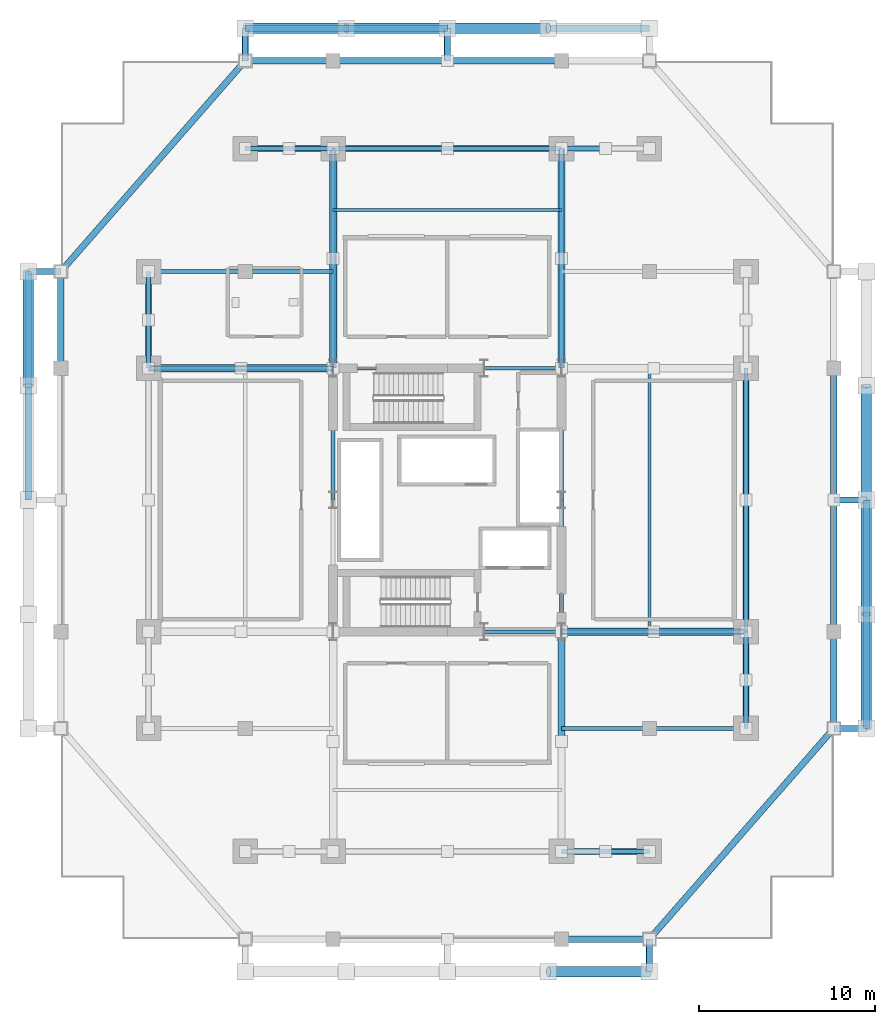
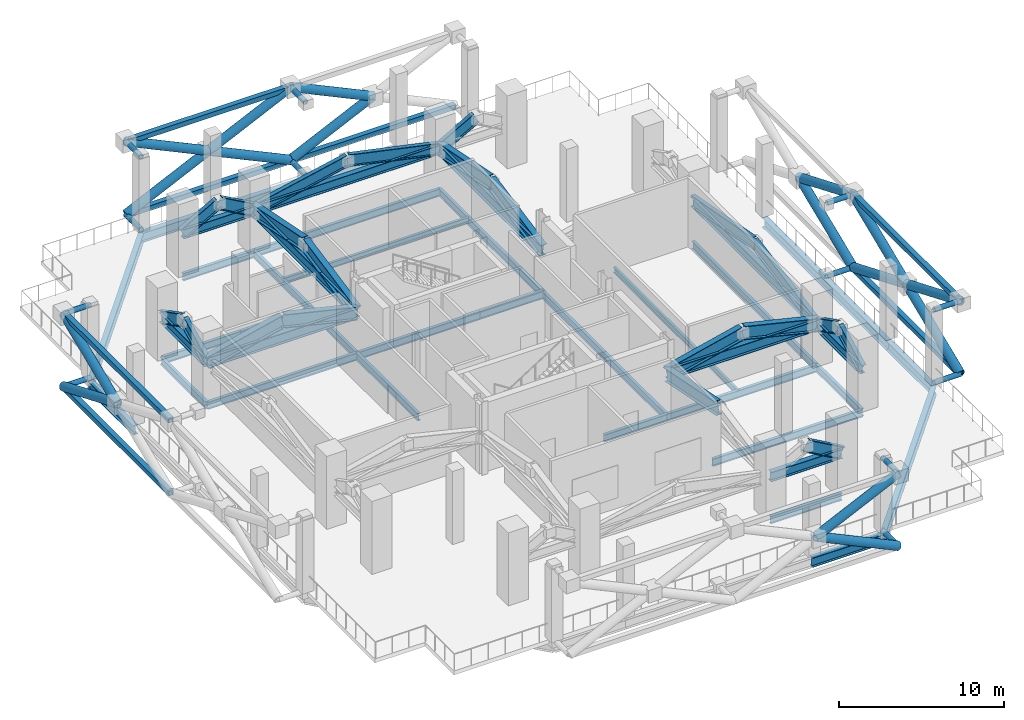
# One storey, part 2 of 9: 66 members, 30 beams.
"""IFC4 building model written with IfcOpenShell, lengths in metres."""

from ifc_helpers import new_model, si_unit, direction, frame, origin, origin_2d, place, context, subcontext, project, spatial, hollow_rectangle, hollow_circle, i_section, extrude, material, material_profile, profile_set, type_object, element, save


model = new_model("IFC4")

# Units and contexts
model_context = context("Model", 3, precision=1e-05, world=origin(), true_north=direction((0.0, 1.0)))
body_context = subcontext(model_context, "Body", "Model", "MODEL_VIEW")
ifc_project = project(units=[si_unit("LENGTHUNIT", "METRE"), si_unit("AREAUNIT", "SQUARE_METRE"), si_unit("VOLUMEUNIT", "CUBIC_METRE"), si_unit("PLANEANGLEUNIT", "RADIAN"), si_unit("MASSUNIT", "GRAM", prefix="KILO")], contexts=[model_context])

# Site, building, storey
site_placement = place(None, origin())
site = spatial("IfcSite", under=ifc_project, at=site_placement, CompositionType="ELEMENT")
building_placement = place(site_placement, origin())
building = spatial("IfcBuilding", under=site, at=building_placement, Name="Barlavira Tower and Art Museum", CompositionType="ELEMENT")
storey_placement = place(building_placement, frame((0.0, 0.0, 93.60009765625)))
storey = spatial("IfcBuildingStorey", under=building, at=storey_placement, Name="L23", CompositionType="ELEMENT", Elevation=93.60009765625)

# Members
ifc_material = material(Name="Steel S355", Category="steel")
ifc_material_profile_1 = material_profile(ifc_material, i_section(OverallWidth=0.35595703125, OverallDepth=0.695068359375, WebThickness=0.014892578125, FlangeThickness=0.023681640625, at=origin_2d()), Name="W690x192.0")
ifc_profile_set_1 = profile_set([ifc_material_profile_1], Name="Steel S355")
member_type_1 = type_object("IfcMemberType", Name="Belt Truss Chord Member W690x192 Steel S355", PredefinedType="CHORD", material=ifc_profile_set_1)
for number, where, z_axis, x_axis, name in (
    (1, (6.5, -20.0, 2.64990234375), (1.0, 0.0, 0.0), (0.0, 1.0, 0.0), "L23 Belt Truss Bottom Chord BS3"),
    (2, (-11.5, 20.0, 2.64990234375), (1.0, 0.0, 0.0), (0.0, 1.0, 0.0), "L23 Belt Truss Bottom Chord BN1"),
):
    element("IfcMember", number, at=place(storey_placement, frame(where, z_axis=z_axis, x_axis=x_axis)), inside=storey, type_object=member_type_1, Name=name, PredefinedType="CHORD", context=body_context, shape_type="SweptSolid", body=[
        extrude(i_section(OverallWidth=0.35595703125, OverallDepth=0.695068359375, WebThickness=0.014892578125, FlangeThickness=0.023681640625, at=origin_2d()), origin(), (0.0, 0.0, 1.0), 5.0),
    ])
member_1_placement = place(storey_placement, frame((-6.5, 20.0, 2.64990234375), z_axis=(1.0, 0.0, 0.0), x_axis=(0.0, 1.0, 0.0)))
element("IfcMember", 3, at=member_1_placement, inside=storey, type_object=member_type_1, Name="L23 Belt Truss Bottom Chord BN2", PredefinedType="CHORD", context=body_context, shape_type="SweptSolid", body=[
    extrude(i_section(OverallWidth=0.35595703125, OverallDepth=0.695068359375, WebThickness=0.014892578125, FlangeThickness=0.023681640625, at=origin_2d()), origin(), (0.0, 0.0, 1.0), 13.0),
])
for number, where, z_axis, x_axis, name in (
    (4, (-17.0, 7.5, 2.64990234375), (0.0, 1.0, 0.0), (-1.0, 0.0, 0.0), "L23 Belt Truss Bottom Chord BW3"),
    (5, (17.0, -13.0, 2.64990234375), (0.0, 1.0, 0.0), (-1.0, 0.0, 0.0), "L23 Belt Truss Bottom Chord BE1"),
):
    element("IfcMember", number, at=place(storey_placement, frame(where, z_axis=z_axis, x_axis=x_axis)), inside=storey, type_object=member_type_1, Name=name, PredefinedType="CHORD", context=body_context, shape_type="SweptSolid", body=[
        extrude(i_section(OverallWidth=0.35595703125, OverallDepth=0.695068359375, WebThickness=0.014892578125, FlangeThickness=0.023681640625, at=origin_2d()), origin(), (0.0, 0.0, 1.0), 5.5),
    ])
member_2_placement = place(storey_placement, frame((17.0, -7.5, 2.64990234375), z_axis=(0.0, 1.0, 0.0), x_axis=(-1.0, 0.0, 0.0)))
element("IfcMember", 6, at=member_2_placement, inside=storey, type_object=member_type_1, Name="L23 Belt Truss Bottom Chord BE2", PredefinedType="CHORD", context=body_context, shape_type="SweptSolid", body=[
    extrude(i_section(OverallWidth=0.35595703125, OverallDepth=0.695068359375, WebThickness=0.014892578125, FlangeThickness=0.023681640625, at=origin_2d()), origin(), (0.0, 0.0, 1.0), 15.0),
])
ifc_material_profile_2 = material_profile(ifc_material, i_section(OverallWidth=0.2939453125, OverallDepth=0.85107421875, WebThickness=0.017333984375, FlangeThickness=0.0283203125, at=origin_2d()), Name="W840x251.0")
ifc_profile_set_2 = profile_set([ifc_material_profile_2], Name="Steel S355")
member_type_2 = type_object("IfcMemberType", Name="Belt Truss Diagonal Brace W840x251 Steel S355", PredefinedType="BRACE", material=ifc_profile_set_2)
for number, where, z_axis, x_axis, name in (
    (7, (9.0, -20.0, 4.0498046875), (0.872520545396, 0.0, -0.488577422588), (0.0, 1.0, 0.0), "L23 Belt Truss Diagonal BS3-2"),
    (8, (-11.5, 20.0, 2.64990234375), (0.872520545396, 0.0, 0.488577422588), (0.0, 1.0, 0.0), "L23 Belt Truss Diagonal BN1-1"),
    (9, (-9.0, 20.0, 4.0498046875), (0.872520545396, 0.0, -0.488577422588), (0.0, 1.0, 0.0), "L23 Belt Truss Diagonal BN1-2"),
):
    element("IfcMember", number, at=place(storey_placement, frame(where, z_axis=z_axis, x_axis=x_axis)), inside=storey, type_object=member_type_2, Name=name, PredefinedType="BRACE", context=body_context, shape_type="SweptSolid", body=[
        extrude(i_section(OverallWidth=0.2939453125, OverallDepth=0.85107421875, WebThickness=0.017333984375, FlangeThickness=0.0283203125, at=origin_2d()), origin(), (0.0, 0.0, 1.0), 2.865234375),
    ])
for number, where, z_axis, x_axis, name in (
    (10, (-6.5, 20.0, 2.64990234375), (0.977584804239, 0.0, 0.210542039795), (0.0, 1.0, 0.0), "L23 Belt Truss Diagonal BN2-1"),
    (11, (0.0, 20.0, 4.0498046875), (0.977584804239, 0.0, -0.210542039795), (0.0, 1.0, 0.0), "L23 Belt Truss Diagonal BN2-2"),
):
    element("IfcMember", number, at=place(storey_placement, frame(where, z_axis=z_axis, x_axis=x_axis)), inside=storey, type_object=member_type_2, Name=name, PredefinedType="BRACE", context=body_context, shape_type="SweptSolid", body=[
        extrude(i_section(OverallWidth=0.2939453125, OverallDepth=0.85107421875, WebThickness=0.017333984375, FlangeThickness=0.0283203125, at=origin_2d()), origin(), (0.0, 0.0, 1.0), 6.64892578125),
    ])
member_3_placement = place(storey_placement, frame((6.5, 20.0, 2.64990234375), z_axis=(0.872520545396, 0.0, 0.488577422588), x_axis=(0.0, 1.0, 0.0)))
element("IfcMember", 12, at=member_3_placement, inside=storey, type_object=member_type_2, Name="L23 Belt Truss Diagonal BN3-1", PredefinedType="BRACE", context=body_context, shape_type="SweptSolid", body=[
    extrude(i_section(OverallWidth=0.2939453125, OverallDepth=0.85107421875, WebThickness=0.017333984375, FlangeThickness=0.0283203125, at=origin_2d()), origin(), (0.0, 0.0, 1.0), 2.865234375),
])
for number, where, z_axis, x_axis, name in (
    (13, (-17.0, 7.5, 2.64990234375), (0.0, 0.891175910254, 0.453657907439), (-1.0, 0.0, 0.0), "L23 Belt Truss Diagonal BW3-1"),
    (14, (-17.0, 10.25, 4.0498046875), (0.0, 0.891175910254, -0.453657907439), (-1.0, 0.0, 0.0), "L23 Belt Truss Diagonal BW3-2"),
    (15, (17.0, -13.0, 2.64990234375), (0.0, 0.891175910254, 0.453657907439), (-1.0, 0.0, 0.0), "L23 Belt Truss Diagonal BE1-1"),
    (16, (17.0, -10.25, 4.0498046875), (0.0, 0.891175910254, -0.453657907439), (-1.0, 0.0, 0.0), "L23 Belt Truss Diagonal BE1-2"),
):
    element("IfcMember", number, at=place(storey_placement, frame(where, z_axis=z_axis, x_axis=x_axis)), inside=storey, type_object=member_type_2, Name=name, PredefinedType="BRACE", context=body_context, shape_type="SweptSolid", body=[
        extrude(i_section(OverallWidth=0.2939453125, OverallDepth=0.85107421875, WebThickness=0.017333984375, FlangeThickness=0.0283203125, at=origin_2d()), origin(), (0.0, 0.0, 1.0), 3.085693359375),
    ])
for number, where, z_axis, x_axis, name in (
    (17, (17.0, -7.5, 2.64990234375), (0.0, 0.983022557528, 0.183484744299), (-1.0, 0.0, 0.0), "L23 Belt Truss Diagonal BE2-1"),
    (18, (17.0, 0.0, 4.0498046875), (0.0, 0.983022557528, -0.183484744299), (-1.0, 0.0, 0.0), "L23 Belt Truss Diagonal BE2-2"),
):
    element("IfcMember", number, at=place(storey_placement, frame(where, z_axis=z_axis, x_axis=x_axis)), inside=storey, type_object=member_type_2, Name=name, PredefinedType="BRACE", context=body_context, shape_type="SweptSolid", body=[
        extrude(i_section(OverallWidth=0.2939453125, OverallDepth=0.85107421875, WebThickness=0.017333984375, FlangeThickness=0.0283203125, at=origin_2d()), origin(), (0.0, 0.0, 1.0), 7.629638671875),
    ])
ifc_material_profile_3 = material_profile(ifc_material, i_section(OverallWidth=0.382080078125, OverallDepth=0.785888671875, WebThickness=0.02001953125, FlangeThickness=0.032958984375, at=origin_2d()), Name="W760x314.0")
ifc_profile_set_3 = profile_set([ifc_material_profile_3], Name="Steel S355")
member_type_3 = type_object("IfcMemberType", Name="Outrigger Truss Chord Member W760x314 Steel S355", PredefinedType="CHORD", material=ifc_profile_set_3)
for number, where, z_axis, x_axis, name in (
    (19, (-6.5, 7.5, 2.64990234375), (-1.0, 0.0, 0.0), (0.0, -1.0, 0.0), "L23 Outrigger Bottom Chord WN"),
    (20, (6.5, -7.5, 2.64990234375), (1.0, 0.0, 0.0), (0.0, 1.0, 0.0), "L23 Outrigger Bottom Chord ES"),
):
    element("IfcMember", number, at=place(storey_placement, frame(where, z_axis=z_axis, x_axis=x_axis)), inside=storey, type_object=member_type_3, Name=name, PredefinedType="CHORD", context=body_context, shape_type="SweptSolid", body=[
        extrude(i_section(OverallWidth=0.382080078125, OverallDepth=0.785888671875, WebThickness=0.02001953125, FlangeThickness=0.032958984375, at=origin_2d()), origin(), (0.0, 0.0, 1.0), 10.5),
    ])
for number, where, z_axis, x_axis, name in (
    (21, (-6.5, 7.5, 2.64990234375), (0.0, 1.0, 0.0), (-1.0, 0.0, 0.0), "L23 Outrigger Bottom Chord NW"),
    (22, (6.5, 7.5, 2.64990234375), (0.0, 1.0, 0.0), (-1.0, 0.0, 0.0), "L23 Outrigger Bottom Chord NE"),
):
    element("IfcMember", number, at=place(storey_placement, frame(where, z_axis=z_axis, x_axis=x_axis)), inside=storey, type_object=member_type_3, Name=name, PredefinedType="CHORD", context=body_context, shape_type="SweptSolid", body=[
        extrude(i_section(OverallWidth=0.382080078125, OverallDepth=0.785888671875, WebThickness=0.02001953125, FlangeThickness=0.032958984375, at=origin_2d()), origin(), (0.0, 0.0, 1.0), 12.5),
    ])
ifc_material_profile_4 = material_profile(ifc_material, i_section(OverallWidth=0.419921875, OverallDepth=0.9599609375, WebThickness=0.02197265625, FlangeThickness=0.033935546875, at=origin_2d()), Name="W920x387.0")
ifc_profile_set_4 = profile_set([ifc_material_profile_4], Name="Steel S355")
member_type_4 = type_object("IfcMemberType", Name="Outrigger Truss Diagonal Brace W920x387 Steel S355", PredefinedType="BRACE", material=ifc_profile_set_4)
for number, where, z_axis, x_axis, name in (
    (23, (-6.5, 7.5, 2.64990234375), (-0.972806214685, 0.0, 0.231620527306), (0.0, -1.0, 0.0), "L23 Outrigger Diagonal Brace WN-1"),
    (24, (-11.75, 7.5, 3.89990234375), (-0.972806214685, 0.0, -0.231620527306), (0.0, -1.0, 0.0), "L23 Outrigger Diagonal Brace WN-2"),
    (25, (6.5, -7.5, 2.64990234375), (0.972806214685, 0.0, 0.231620527306), (0.0, 1.0, 0.0), "L23 Outrigger Diagonal Brace ES-1"),
    (26, (11.75, -7.5, 3.89990234375), (0.972806214685, 0.0, -0.231620527306), (0.0, 1.0, 0.0), "L23 Outrigger Diagonal Brace ES-2"),
):
    element("IfcMember", number, at=place(storey_placement, frame(where, z_axis=z_axis, x_axis=x_axis)), inside=storey, type_object=member_type_4, Name=name, PredefinedType="BRACE", context=body_context, shape_type="SweptSolid", body=[
        extrude(i_section(OverallWidth=0.419921875, OverallDepth=0.9599609375, WebThickness=0.02197265625, FlangeThickness=0.033935546875, at=origin_2d()), origin(), (0.0, 0.0, 1.0), 5.396728515625),
    ])
for number, where, z_axis, x_axis, name in (
    (27, (6.5, -7.5, 2.64990234375), (0.0, -0.980580675691, 0.196116135138), (1.0, 0.0, 0.0), "L23 Outrigger Diagonal Brace SE-1"),
    (28, (-6.5, 7.5, 2.64990234375), (0.0, 0.980580675691, 0.196116135138), (-1.0, 0.0, 0.0), "L23 Outrigger Diagonal Brace NW-1"),
    (29, (-6.5, 13.75, 3.89990234375), (0.0, 0.980580675691, -0.196116135138), (-1.0, 0.0, 0.0), "L23 Outrigger Diagonal Brace NW-2"),
    (30, (6.5, 7.5, 2.64990234375), (0.0, 0.980580675691, 0.196116135138), (-1.0, 0.0, 0.0), "L23 Outrigger Diagonal Brace NE-1"),
    (31, (6.5, 13.75, 3.89990234375), (0.0, 0.980580675691, -0.196116135138), (-1.0, 0.0, 0.0), "L23 Outrigger Diagonal Brace NE-2"),
):
    element("IfcMember", number, at=place(storey_placement, frame(where, z_axis=z_axis, x_axis=x_axis)), inside=storey, type_object=member_type_4, Name=name, PredefinedType="BRACE", context=body_context, shape_type="SweptSolid", body=[
        extrude(i_section(OverallWidth=0.419921875, OverallDepth=0.9599609375, WebThickness=0.02197265625, FlangeThickness=0.033935546875, at=origin_2d()), origin(), (0.0, 0.0, 1.0), 6.373779296875),
    ])
ifc_material_profile_5 = material_profile(ifc_material, hollow_circle(Radius=0.304931640625, WallThickness=0.028076171875, at=origin_2d()), Name="CHS 610.0x28.0")
ifc_profile_set_5 = profile_set([ifc_material_profile_5], Name="Steel S355")
member_type_5 = type_object("IfcMemberType", Name="Pale-Metal Exoskeleton Diagrid Tube CHS 610x28 Steel S355", PredefinedType="BRACE", material=ifc_profile_set_5)
for number, where, z_axis, x_axis, name in (
    (32, (11.5, -26.85009765625, -0.1201171875), (-0.905178105095, 0.0, 0.425032467062), (0.0, -1.0, 0.0), "L23 Exoskeleton Diagrid Tube S"),
    (33, (5.75, -26.85009765625, 2.579833984375), (0.905178105095, 0.0, 0.425032467062), (0.0, 1.0, 0.0), "L23 Exoskeleton Diagrid Tube S"),
    (34, (-11.5, 26.85009765625, -0.1201171875), (0.905178105095, 0.0, 0.425032467062), (0.0, 1.0, 0.0), "L23 Exoskeleton Diagrid Tube N"),
    (35, (0.0, 26.85009765625, -0.1201171875), (-0.905178105095, 0.0, 0.425032467062), (0.0, -1.0, 0.0), "L23 Exoskeleton Diagrid Tube N"),
    (36, (-5.75, 26.85009765625, 2.579833984375), (-0.905178105095, 0.0, 0.425032467062), (0.0, -1.0, 0.0), "L23 Exoskeleton Diagrid Tube N"),
    (37, (-5.75, 26.85009765625, 2.579833984375), (0.905178105095, 0.0, 0.425032467062), (0.0, 1.0, 0.0), "L23 Exoskeleton Diagrid Tube N"),
    (38, (0.0, 26.85009765625, -0.1201171875), (0.905178105095, 0.0, 0.425032467062), (0.0, 1.0, 0.0), "L23 Exoskeleton Diagrid Tube N"),
    (39, (5.75, 26.85009765625, 2.579833984375), (-0.905178105095, 0.0, 0.425032467062), (0.0, -1.0, 0.0), "L23 Exoskeleton Diagrid Tube N"),
):
    element("IfcMember", number, at=place(storey_placement, frame(where, z_axis=z_axis, x_axis=x_axis)), inside=storey, type_object=member_type_5, Name=name, PredefinedType="BRACE", context=body_context, shape_type="SweptSolid", body=[
        extrude(hollow_circle(Radius=0.304931640625, WallThickness=0.028076171875, at=origin_2d()), origin(), (0.0, 0.0, 1.0), 6.352294921875),
    ])
for number, where, z_axis, x_axis, name in (
    (40, (-23.85009765625, 13.0, -0.1201171875), (0.0, -0.923499173836, 0.383600411788), (1.0, 0.0, 0.0), "L23 Exoskeleton Diagrid Tube W"),
    (41, (-23.85009765625, 6.5, 2.579833984375), (0.0, 0.923499173836, 0.383600411788), (-1.0, 0.0, 0.0), "L23 Exoskeleton Diagrid Tube W"),
    (42, (23.85009765625, -13.0, -0.1201171875), (0.0, 0.923499173836, 0.383600411788), (-1.0, 0.0, 0.0), "L23 Exoskeleton Diagrid Tube E"),
    (43, (23.85009765625, 0.0, -0.1201171875), (0.0, -0.923499173836, 0.383600411788), (1.0, 0.0, 0.0), "L23 Exoskeleton Diagrid Tube E"),
    (44, (23.85009765625, -6.5, 2.579833984375), (0.0, -0.923499173836, 0.383600411788), (1.0, 0.0, 0.0), "L23 Exoskeleton Diagrid Tube E"),
    (45, (23.85009765625, -6.5, 2.579833984375), (0.0, 0.923499173836, 0.383600411788), (-1.0, 0.0, 0.0), "L23 Exoskeleton Diagrid Tube E"),
    (46, (23.85009765625, 0.0, -0.1201171875), (0.0, 0.923499173836, 0.383600411788), (-1.0, 0.0, 0.0), "L23 Exoskeleton Diagrid Tube E"),
    (47, (23.85009765625, 6.5, 2.579833984375), (0.0, -0.923499173836, 0.383600411788), (1.0, 0.0, 0.0), "L23 Exoskeleton Diagrid Tube E"),
):
    element("IfcMember", number, at=place(storey_placement, frame(where, z_axis=z_axis, x_axis=x_axis)), inside=storey, type_object=member_type_5, Name=name, PredefinedType="BRACE", context=body_context, shape_type="SweptSolid", body=[
        extrude(hollow_circle(Radius=0.304931640625, WallThickness=0.028076171875, at=origin_2d()), origin(), (0.0, 0.0, 1.0), 7.038330078125),
    ])
ifc_material_profile_6 = material_profile(ifc_material, hollow_rectangle(XDim=0.35009765625, YDim=0.35009765625, WallThickness=0.02001953125, at=origin_2d()), Name="SHS 350x350x20.0")
ifc_profile_set_6 = profile_set([ifc_material_profile_6], Name="Steel S355")
member_type_6 = type_object("IfcMemberType", Name="Pale-Metal Exoskeleton Ring Strut SHS 350x350x20 Steel S355", PredefinedType="STRUT", material=ifc_profile_set_6)
for number, where, z_axis, x_axis, name in (
    (48, (-11.5, 26.85009765625, -0.1201171875), (1.0, 0.0, 0.0), (0.0, 1.0, 0.0), "L23 Exoskeleton Ring Strut N"),
    (49, (0.0, 26.85009765625, -0.1201171875), (1.0, 0.0, 0.0), (0.0, 1.0, 0.0), "L23 Exoskeleton Ring Strut N"),
    (50, (-11.5, 26.85009765625, 5.27978515625), (1.0, 0.0, 0.0), (0.0, 1.0, 0.0), "L23 Exoskeleton Top Ring Strut N"),
):
    element("IfcMember", number, at=place(storey_placement, frame(where, z_axis=z_axis, x_axis=x_axis)), inside=storey, type_object=member_type_6, Name=name, PredefinedType="STRUT", context=body_context, shape_type="SweptSolid", body=[
        extrude(hollow_rectangle(XDim=0.35009765625, YDim=0.35009765625, WallThickness=0.02001953125, at=origin_2d()), origin(), (0.0, 0.0, 1.0), 11.5),
    ])
for number, where, z_axis, x_axis, name in (
    (51, (-23.85009765625, 0.0, -0.1201171875), (0.0, 1.0, 0.0), (-1.0, 0.0, 0.0), "L23 Exoskeleton Ring Strut W"),
    (52, (-23.85009765625, 0.0, 5.27978515625), (0.0, 1.0, 0.0), (-1.0, 0.0, 0.0), "L23 Exoskeleton Top Ring Strut W"),
    (53, (23.85009765625, -13.0, -0.1201171875), (0.0, 1.0, 0.0), (-1.0, 0.0, 0.0), "L23 Exoskeleton Ring Strut E"),
    (54, (23.85009765625, -13.0, 5.27978515625), (0.0, 1.0, 0.0), (-1.0, 0.0, 0.0), "L23 Exoskeleton Top Ring Strut E"),
):
    element("IfcMember", number, at=place(storey_placement, frame(where, z_axis=z_axis, x_axis=x_axis)), inside=storey, type_object=member_type_6, Name=name, PredefinedType="STRUT", context=body_context, shape_type="SweptSolid", body=[
        extrude(hollow_rectangle(XDim=0.35009765625, YDim=0.35009765625, WallThickness=0.02001953125, at=origin_2d()), origin(), (0.0, 0.0, 1.0), 13.0),
    ])
ifc_material_profile_7 = material_profile(ifc_material, hollow_circle(Radius=0.177734375, WallThickness=0.01611328125, at=origin_2d()), Name="CHS 355.6x16.0")
ifc_profile_set_7 = profile_set([ifc_material_profile_7], Name="Steel S355")
member_type_7 = type_object("IfcMemberType", Name="Pale-Metal Exoskeleton Tie Strut CHS 356x16 Steel S355", PredefinedType="STRUT", material=ifc_profile_set_7)
for number, where, z_axis, x_axis, name in (
    (55, (11.5, -26.85009765625, -0.1201171875), (0.0, 1.0, 0.0), (-1.0, 0.0, 0.0), "L23 Exoskeleton Tie Strut S3"),
    (56, (11.5, -26.85009765625, 5.27978515625), (0.0, 1.0, 0.0), (-1.0, 0.0, 0.0), "L23 Exoskeleton Top Tie Strut S3"),
    (57, (-11.5, 26.85009765625, -0.1201171875), (0.0, -1.0, 0.0), (1.0, 0.0, 0.0), "L23 Exoskeleton Tie Strut N1"),
    (58, (0.0, 26.85009765625, -0.1201171875), (0.0, -1.0, 0.0), (1.0, 0.0, 0.0), "L23 Exoskeleton Tie Strut N2"),
    (59, (-11.5, 26.85009765625, 5.27978515625), (0.0, -1.0, 0.0), (1.0, 0.0, 0.0), "L23 Exoskeleton Top Tie Strut N1"),
    (60, (0.0, 26.85009765625, 5.27978515625), (0.0, -1.0, 0.0), (1.0, 0.0, 0.0), "L23 Exoskeleton Top Tie Strut N2"),
    (61, (-23.85009765625, 13.0, -0.1201171875), (1.0, 0.0, 0.0), (0.0, 1.0, 0.0), "L23 Exoskeleton Tie Strut W3"),
    (62, (-23.85009765625, 13.0, 5.27978515625), (1.0, 0.0, 0.0), (0.0, 1.0, 0.0), "L23 Exoskeleton Top Tie Strut W3"),
    (63, (23.85009765625, -13.0, -0.1201171875), (-1.0, 0.0, 0.0), (0.0, -1.0, 0.0), "L23 Exoskeleton Tie Strut E1"),
    (64, (23.85009765625, 0.0, -0.1201171875), (-1.0, 0.0, 0.0), (0.0, -1.0, 0.0), "L23 Exoskeleton Tie Strut E2"),
    (65, (23.85009765625, -13.0, 5.27978515625), (-1.0, 0.0, 0.0), (0.0, -1.0, 0.0), "L23 Exoskeleton Top Tie Strut E1"),
    (66, (23.85009765625, 0.0, 5.27978515625), (-1.0, 0.0, 0.0), (0.0, -1.0, 0.0), "L23 Exoskeleton Top Tie Strut E2"),
):
    element("IfcMember", number, at=place(storey_placement, frame(where, z_axis=z_axis, x_axis=x_axis)), inside=storey, type_object=member_type_7, Name=name, PredefinedType="STRUT", context=body_context, shape_type="SweptSolid", body=[
        extrude(hollow_circle(Radius=0.177734375, WallThickness=0.01611328125, at=origin_2d()), origin(), (0.0, 0.0, 1.0), 1.85009765625),
    ])

# Beams
ifc_material_profile_8 = material_profile(ifc_material, i_section(OverallWidth=0.35595703125, OverallDepth=0.695068359375, WebThickness=0.014892578125, FlangeThickness=0.023681640625, at=origin_2d()), Name="W690x192.0")
ifc_profile_set_8 = profile_set([ifc_material_profile_8], Name="Steel S355")
beam_type_1 = type_object("IfcBeamType", Name="Wind Floor Perimeter Edge Spandrel W690x192 Steel S355", PredefinedType="SPANDREL", material=ifc_profile_set_8)
beam_1_placement = place(storey_placement, frame((6.5, -25.0, -0.647705078125), z_axis=(1.0, 0.0, 0.0), x_axis=(0.0, 1.0, 0.0)))
element("IfcBeam", 67, at=beam_1_placement, inside=storey, type_object=beam_type_1, Name="L23 Spandrel 3", PredefinedType="SPANDREL", context=body_context, shape_type="SweptSolid", body=[
    extrude(i_section(OverallWidth=0.35595703125, OverallDepth=0.695068359375, WebThickness=0.014892578125, FlangeThickness=0.023681640625, at=origin_2d()), origin(), (0.0, 0.0, 1.0), 5.0),
])
beam_2_placement = place(storey_placement, frame((11.5, -25.0, -0.647705078125), z_axis=(0.658504607869, 0.752576694707, 0.0), x_axis=(-0.752576694707, 0.658504607869, 0.0)))
element("IfcBeam", 68, at=beam_2_placement, inside=storey, type_object=beam_type_1, Name="L23 Spandrel 4", PredefinedType="SPANDREL", context=body_context, shape_type="SweptSolid", body=[
    extrude(i_section(OverallWidth=0.35595703125, OverallDepth=0.695068359375, WebThickness=0.014892578125, FlangeThickness=0.023681640625, at=origin_2d()), origin(), (0.0, 0.0, 1.0), 15.9453125),
])
beam_3_placement = place(storey_placement, frame((22.0, -13.0, -0.647705078125), z_axis=(0.0, 1.0, 0.0), x_axis=(-1.0, 0.0, 0.0)))
element("IfcBeam", 69, at=beam_3_placement, inside=storey, type_object=beam_type_1, Name="L23 Spandrel 5", PredefinedType="SPANDREL", context=body_context, shape_type="SweptSolid", body=[
    extrude(i_section(OverallWidth=0.35595703125, OverallDepth=0.695068359375, WebThickness=0.014892578125, FlangeThickness=0.023681640625, at=origin_2d()), origin(), (0.0, 0.0, 1.0), 5.5),
])
beam_4_placement = place(storey_placement, frame((22.0, -7.5, -0.647705078125), z_axis=(0.0, 1.0, 0.0), x_axis=(-1.0, 0.0, 0.0)))
element("IfcBeam", 70, at=beam_4_placement, inside=storey, type_object=beam_type_1, Name="L23 Spandrel 6", PredefinedType="SPANDREL", context=body_context, shape_type="SweptSolid", body=[
    extrude(i_section(OverallWidth=0.35595703125, OverallDepth=0.695068359375, WebThickness=0.014892578125, FlangeThickness=0.023681640625, at=origin_2d()), origin(), (0.0, 0.0, 1.0), 15.0),
])
beam_5_placement = place(storey_placement, frame((-6.5, 25.0, -0.647705078125), z_axis=(1.0, 0.0, 0.0), x_axis=(0.0, 1.0, 0.0)))
element("IfcBeam", 71, at=beam_5_placement, inside=storey, type_object=beam_type_1, Name="L23 Spandrel 10", PredefinedType="SPANDREL", context=body_context, shape_type="SweptSolid", body=[
    extrude(i_section(OverallWidth=0.35595703125, OverallDepth=0.695068359375, WebThickness=0.014892578125, FlangeThickness=0.023681640625, at=origin_2d()), origin(), (0.0, 0.0, 1.0), 13.0),
])
beam_6_placement = place(storey_placement, frame((-11.5, 25.0, -0.647705078125), z_axis=(1.0, 0.0, 0.0), x_axis=(0.0, 1.0, 0.0)))
element("IfcBeam", 72, at=beam_6_placement, inside=storey, type_object=beam_type_1, Name="L23 Spandrel 11", PredefinedType="SPANDREL", context=body_context, shape_type="SweptSolid", body=[
    extrude(i_section(OverallWidth=0.35595703125, OverallDepth=0.695068359375, WebThickness=0.014892578125, FlangeThickness=0.023681640625, at=origin_2d()), origin(), (0.0, 0.0, 1.0), 5.0),
])
beam_7_placement = place(storey_placement, frame((-11.5, 25.0, -0.647705078125), z_axis=(-0.658504607869, -0.752576694707, 0.0), x_axis=(0.752576694707, -0.658504607869, 0.0)))
element("IfcBeam", 73, at=beam_7_placement, inside=storey, type_object=beam_type_1, Name="L23 Spandrel 12", PredefinedType="SPANDREL", context=body_context, shape_type="SweptSolid", body=[
    extrude(i_section(OverallWidth=0.35595703125, OverallDepth=0.695068359375, WebThickness=0.014892578125, FlangeThickness=0.023681640625, at=origin_2d()), origin(), (0.0, 0.0, 1.0), 15.9453125),
])
beam_8_placement = place(storey_placement, frame((-22.0, 7.5, -0.647705078125), z_axis=(0.0, 1.0, 0.0), x_axis=(-1.0, 0.0, 0.0)))
element("IfcBeam", 74, at=beam_8_placement, inside=storey, type_object=beam_type_1, Name="L23 Spandrel 13", PredefinedType="SPANDREL", context=body_context, shape_type="SweptSolid", body=[
    extrude(i_section(OverallWidth=0.35595703125, OverallDepth=0.695068359375, WebThickness=0.014892578125, FlangeThickness=0.023681640625, at=origin_2d()), origin(), (0.0, 0.0, 1.0), 5.5),
])
ifc_material_profile_9 = material_profile(ifc_material, i_section(OverallWidth=0.180908203125, OverallDepth=0.4169921875, WebThickness=0.010986328125, FlangeThickness=0.018310546875, at=origin_2d()), Name="W410x85.0")
ifc_profile_set_9 = profile_set([ifc_material_profile_9], Name="Steel S355")
beam_type_2 = type_object("IfcBeamType", Name="Zone 1 Composite Floor Joist W410x85 Steel S355", PredefinedType="JOIST", material=ifc_profile_set_9)
beam_9_placement = place(storey_placement, frame((-6.5, 16.5, -0.508544921875), z_axis=(1.0, 0.0, 0.0), x_axis=(0.0, 1.0, 0.0)))
element("IfcBeam", 75, at=beam_9_placement, inside=storey, type_object=beam_type_2, Name="L23 Joist C2", PredefinedType="JOIST", context=body_context, shape_type="SweptSolid", body=[
    extrude(i_section(OverallWidth=0.180908203125, OverallDepth=0.4169921875, WebThickness=0.010986328125, FlangeThickness=0.018310546875, at=origin_2d()), origin(), (0.0, 0.0, 1.0), 13.0),
])
beam_10_placement = place(storey_placement, frame((11.5, -7.5, -0.508544921875), z_axis=(0.0, 1.0, 0.0), x_axis=(-1.0, 0.0, 0.0)))
element("IfcBeam", 76, at=beam_10_placement, inside=storey, type_object=beam_type_2, Name="L23 Joist W2", PredefinedType="JOIST", context=body_context, shape_type="SweptSolid", body=[
    extrude(i_section(OverallWidth=0.180908203125, OverallDepth=0.4169921875, WebThickness=0.010986328125, FlangeThickness=0.018310546875, at=origin_2d()), origin(), (0.0, 0.0, 1.0), 15.0),
])
ifc_material_profile_10 = material_profile(ifc_material, i_section(OverallWidth=0.214111328125, OverallDepth=0.549072265625, WebThickness=0.0146484375, FlangeThickness=0.023681640625, at=origin_2d()), Name="W530x138.0")
ifc_profile_set_10 = profile_set([ifc_material_profile_10], Name="Steel S355")
beam_type_3 = type_object("IfcBeamType", Name="Zone 1 Primary Floor Girder W530x138 Steel S355", PredefinedType="BEAM", material=ifc_profile_set_10)
beam_11_placement = place(storey_placement, frame((2.080078125, -7.5, -0.57470703125), z_axis=(1.0, 0.0, 0.0), x_axis=(0.0, 1.0, 0.0)))
element("IfcBeam", 77, at=beam_11_placement, inside=storey, type_object=beam_type_3, Name="L23 Girder C-S2", PredefinedType="BEAM", context=body_context, shape_type="SweptSolid", body=[
    extrude(i_section(OverallWidth=0.214111328125, OverallDepth=0.549072265625, WebThickness=0.0146484375, FlangeThickness=0.023681640625, at=origin_2d()), origin(), (0.0, 0.0, 1.0), 4.419921875),
])
beam_12_placement = place(storey_placement, frame((-6.5, 7.5, -0.57470703125), z_axis=(1.0, 0.0, 0.0), x_axis=(0.0, 1.0, 0.0)))
element("IfcBeam", 78, at=beam_12_placement, inside=storey, type_object=beam_type_3, Name="L23 Girder C-N1", PredefinedType="BEAM", context=body_context, shape_type="SweptSolid", body=[
    extrude(i_section(OverallWidth=0.214111328125, OverallDepth=0.549072265625, WebThickness=0.0146484375, FlangeThickness=0.023681640625, at=origin_2d()), origin(), (0.0, 0.0, 1.0), 8.580078125),
])
beam_13_placement = place(storey_placement, frame((2.080078125, 7.5, -0.57470703125), z_axis=(1.0, 0.0, 0.0), x_axis=(0.0, 1.0, 0.0)))
element("IfcBeam", 79, at=beam_13_placement, inside=storey, type_object=beam_type_3, Name="L23 Girder C-N2", PredefinedType="BEAM", context=body_context, shape_type="SweptSolid", body=[
    extrude(i_section(OverallWidth=0.214111328125, OverallDepth=0.549072265625, WebThickness=0.0146484375, FlangeThickness=0.023681640625, at=origin_2d()), origin(), (0.0, 0.0, 1.0), 4.419921875),
])
for number, where, z_axis, x_axis, name in (
    (80, (-6.5, 0.0, -0.57470703125), (0.0, 1.0, 0.0), (-1.0, 0.0, 0.0), "L23 Girder C-W2"),
    (81, (6.5, -7.5, -0.57470703125), (0.0, 1.0, 0.0), (-1.0, 0.0, 0.0), "L23 Girder C-E1"),
    (82, (6.5, 0.0, -0.57470703125), (0.0, 1.0, 0.0), (-1.0, 0.0, 0.0), "L23 Girder C-E2"),
):
    element("IfcBeam", number, at=place(storey_placement, frame(where, z_axis=z_axis, x_axis=x_axis)), inside=storey, type_object=beam_type_3, Name=name, PredefinedType="BEAM", context=body_context, shape_type="SweptSolid", body=[
        extrude(i_section(OverallWidth=0.214111328125, OverallDepth=0.549072265625, WebThickness=0.0146484375, FlangeThickness=0.023681640625, at=origin_2d()), origin(), (0.0, 0.0, 1.0), 7.5),
    ])
for number, where, z_axis, x_axis, name in (
    (83, (6.5, -20.0, -0.57470703125), (1.0, 0.0, 0.0), (0.0, 1.0, 0.0), "L23 Girder M-S3"),
    (84, (-11.5, 20.0, -0.57470703125), (1.0, 0.0, 0.0), (0.0, 1.0, 0.0), "L23 Girder M-N1"),
):
    element("IfcBeam", number, at=place(storey_placement, frame(where, z_axis=z_axis, x_axis=x_axis)), inside=storey, type_object=beam_type_3, Name=name, PredefinedType="BEAM", context=body_context, shape_type="SweptSolid", body=[
        extrude(i_section(OverallWidth=0.214111328125, OverallDepth=0.549072265625, WebThickness=0.0146484375, FlangeThickness=0.023681640625, at=origin_2d()), origin(), (0.0, 0.0, 1.0), 5.0),
    ])
beam_14_placement = place(storey_placement, frame((-6.5, 20.0, -0.57470703125), z_axis=(1.0, 0.0, 0.0), x_axis=(0.0, 1.0, 0.0)))
element("IfcBeam", 85, at=beam_14_placement, inside=storey, type_object=beam_type_3, Name="L23 Girder M-N2", PredefinedType="BEAM", context=body_context, shape_type="SweptSolid", body=[
    extrude(i_section(OverallWidth=0.214111328125, OverallDepth=0.549072265625, WebThickness=0.0146484375, FlangeThickness=0.023681640625, at=origin_2d()), origin(), (0.0, 0.0, 1.0), 13.0),
])
for number, where, z_axis, x_axis, name in (
    (86, (-17.0, 7.5, -0.57470703125), (0.0, 1.0, 0.0), (-1.0, 0.0, 0.0), "L23 Girder M-W3"),
    (87, (17.0, -13.0, -0.57470703125), (0.0, 1.0, 0.0), (-1.0, 0.0, 0.0), "L23 Girder M-E1"),
):
    element("IfcBeam", number, at=place(storey_placement, frame(where, z_axis=z_axis, x_axis=x_axis)), inside=storey, type_object=beam_type_3, Name=name, PredefinedType="BEAM", context=body_context, shape_type="SweptSolid", body=[
        extrude(i_section(OverallWidth=0.214111328125, OverallDepth=0.549072265625, WebThickness=0.0146484375, FlangeThickness=0.023681640625, at=origin_2d()), origin(), (0.0, 0.0, 1.0), 5.5),
    ])
beam_15_placement = place(storey_placement, frame((17.0, -7.5, -0.57470703125), z_axis=(0.0, 1.0, 0.0), x_axis=(-1.0, 0.0, 0.0)))
element("IfcBeam", 88, at=beam_15_placement, inside=storey, type_object=beam_type_3, Name="L23 Girder M-E2", PredefinedType="BEAM", context=body_context, shape_type="SweptSolid", body=[
    extrude(i_section(OverallWidth=0.214111328125, OverallDepth=0.549072265625, WebThickness=0.0146484375, FlangeThickness=0.023681640625, at=origin_2d()), origin(), (0.0, 0.0, 1.0), 15.0),
])
for number, where, z_axis, x_axis, name in (
    (89, (-6.5, 7.5, -0.57470703125), (0.0, 1.0, 0.0), (-1.0, 0.0, 0.0), "L23 Girder R-N1"),
    (90, (6.5, 7.5, -0.57470703125), (0.0, 1.0, 0.0), (-1.0, 0.0, 0.0), "L23 Girder R-N2"),
):
    element("IfcBeam", number, at=place(storey_placement, frame(where, z_axis=z_axis, x_axis=x_axis)), inside=storey, type_object=beam_type_3, Name=name, PredefinedType="BEAM", context=body_context, shape_type="SweptSolid", body=[
        extrude(i_section(OverallWidth=0.214111328125, OverallDepth=0.549072265625, WebThickness=0.0146484375, FlangeThickness=0.023681640625, at=origin_2d()), origin(), (0.0, 0.0, 1.0), 12.5),
    ])
for number, where, z_axis, x_axis, name in (
    (91, (-17.0, 7.5, -0.57470703125), (1.0, 0.0, 0.0), (0.0, 1.0, 0.0), "L23 Girder R-W2"),
    (92, (6.5, -7.5, -0.57470703125), (1.0, 0.0, 0.0), (0.0, 1.0, 0.0), "L23 Girder R-E1"),
):
    element("IfcBeam", number, at=place(storey_placement, frame(where, z_axis=z_axis, x_axis=x_axis)), inside=storey, type_object=beam_type_3, Name=name, PredefinedType="BEAM", context=body_context, shape_type="SweptSolid", body=[
        extrude(i_section(OverallWidth=0.214111328125, OverallDepth=0.549072265625, WebThickness=0.0146484375, FlangeThickness=0.023681640625, at=origin_2d()), origin(), (0.0, 0.0, 1.0), 10.5),
    ])
beam_16_placement = place(storey_placement, frame((6.5, -13.0, -0.57470703125), z_axis=(1.0, 0.0, 0.0), x_axis=(0.0, 1.0, 0.0)))
element("IfcBeam", 93, at=beam_16_placement, inside=storey, type_object=beam_type_3, Name="L23 Girder I-S3", PredefinedType="BEAM", context=body_context, shape_type="SweptSolid", body=[
    extrude(i_section(OverallWidth=0.214111328125, OverallDepth=0.549072265625, WebThickness=0.0146484375, FlangeThickness=0.023681640625, at=origin_2d()), origin(), (0.0, 0.0, 1.0), 5.0),
])
for number, where, z_axis, x_axis, name in (
    (94, (11.5, -13.0, -0.57470703125), (1.0, 0.0, 0.0), (0.0, 1.0, 0.0), "L23 Girder I-S4"),
    (95, (-17.0, 13.0, -0.57470703125), (1.0, 0.0, 0.0), (0.0, 1.0, 0.0), "L23 Girder I-N1"),
):
    element("IfcBeam", number, at=place(storey_placement, frame(where, z_axis=z_axis, x_axis=x_axis)), inside=storey, type_object=beam_type_3, Name=name, PredefinedType="BEAM", context=body_context, shape_type="SweptSolid", body=[
        extrude(i_section(OverallWidth=0.214111328125, OverallDepth=0.549072265625, WebThickness=0.0146484375, FlangeThickness=0.023681640625, at=origin_2d()), origin(), (0.0, 0.0, 1.0), 5.5),
    ])
beam_17_placement = place(storey_placement, frame((-11.5, 13.0, -0.57470703125), z_axis=(1.0, 0.0, 0.0), x_axis=(0.0, 1.0, 0.0)))
element("IfcBeam", 96, at=beam_17_placement, inside=storey, type_object=beam_type_3, Name="L23 Girder I-N2", PredefinedType="BEAM", context=body_context, shape_type="SweptSolid", body=[
    extrude(i_section(OverallWidth=0.214111328125, OverallDepth=0.549072265625, WebThickness=0.0146484375, FlangeThickness=0.023681640625, at=origin_2d()), origin(), (0.0, 0.0, 1.0), 5.0),
])

save(model, "model.ifc")
